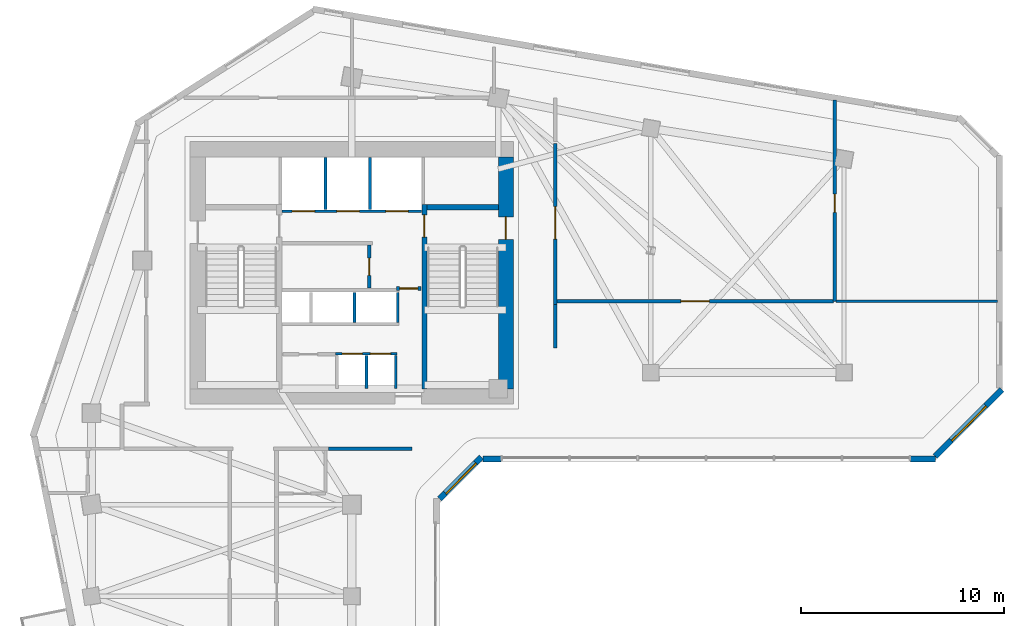
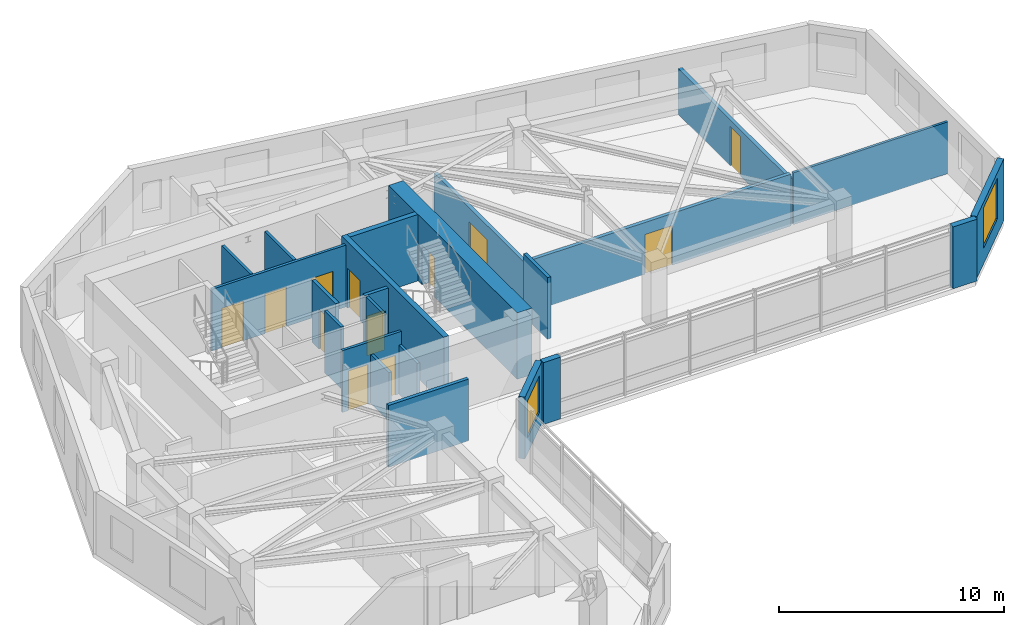
# One storey, part 6 of 10: 23 walls, 12 doors, 2 windows, 14 openings.
"""IFC4 building model written with IfcOpenShell, lengths in metres."""

from ifc_helpers import new_model, si_unit, direction, frame, frame_2d, origin, place, context, subcontext, project, spatial, rectangle, extrude, source, transform, mapped, material, layer, layer_set, type_object, element, fill, save


model = new_model("IFC4")

# Units and contexts
model_context = context("Model", 3, precision=1e-05, world=origin(), true_north=direction((0.0, 1.0)))
body_context = subcontext(model_context, "Body", "Model", "MODEL_VIEW")
ifc_project = project(units=[si_unit("LENGTHUNIT", "METRE"), si_unit("AREAUNIT", "SQUARE_METRE"), si_unit("VOLUMEUNIT", "CUBIC_METRE"), si_unit("PLANEANGLEUNIT", "RADIAN"), si_unit("MASSUNIT", "GRAM", prefix="KILO")], contexts=[model_context])

# Site, building, storey
site_placement = place(None, origin())
site = spatial("IfcSite", under=ifc_project, at=site_placement, CompositionType="ELEMENT")
building_placement = place(site_placement, origin())
building = spatial("IfcBuilding", under=site, at=building_placement, Name="Calvemar Wedge Station Tower", CompositionType="ELEMENT")
storey_placement = place(building_placement, frame((0.0, 0.0, 164.60009765625)))
storey = spatial("IfcBuildingStorey", under=building, at=storey_placement, Name="L41", CompositionType="ELEMENT", Elevation=164.60009765625)

# Wall, opening, door
ifc_material_1 = material(Name="Concrete C50", Category="concrete")
ifc_layer_1 = layer(ifc_material_1, 0.260009765625)
ifc_layer_set_1 = layer_set([ifc_layer_1], Name="Concrete C50")
wall_type_1 = type_object("IfcWallType", Name="SW-CORE-260", PredefinedType="SHEAR", material=ifc_layer_set_1)
wall_1_placement = place(storey_placement, frame((27.3701171875, 34.199951171875, 0.0), z_axis=(0.0, 0.0, 1.0), x_axis=(0.0, 1.0, 0.0)))
wall_1 = element("IfcWall", 1, at=wall_1_placement, inside=storey, type_object=wall_type_1, Name="Storey L41 Core Shear Wall SPINE-E", PredefinedType="SHEAR", context=body_context, shape_type="SweptSolid", body=[
    extrude(rectangle(XDim=9.06005859375, YDim=0.260009765625, at=frame_2d((4.530029296875, 0.0))), origin(), (0.0, 0.0, 1.0), 3.599853515625),
])
shared_shape_1 = source(origin(), body_context, "Body", "SweptSolid", [
    extrude(rectangle(XDim=1.10009765625, YDim=2.14990234375, at=frame_2d((0.550048828125, 1.074951171875))), frame((0.0, 0.14013671875, 0.0), z_axis=(0.0, -1.0, 0.0), x_axis=(1.0, 0.0, 0.0)), (0.0, 0.0, 1.0), 0.280029296875),
])
opening_1_placement = place(wall_1_placement, frame((7.449951171875, 0.0, 0.0)))
opening_1 = element("IfcOpeningElement", 2, at=opening_1_placement, cuts=wall_1, Name="Opening FD-90", PredefinedType="OPENING", context=body_context, shape_type="MappedRepresentation", body=[
    mapped(shared_shape_1, transform((0.0, 0.0, 0.0), scale=1.0)),
])
ifc_material_2 = material(Name="Galvanized fire-rated steel door leaf P-90", Category="steel")
door_type_1 = type_object("IfcDoorType", Name="DR-FD90-1100", OperationType="NOTDEFINED", PredefinedType="DOOR", material=ifc_material_2)
shared_shape_2 = source(origin(), body_context, "Body", "SweptSolid", [
    extrude(rectangle(XDim=1.10009765625, YDim=2.14990234375, at=frame_2d((0.550048828125, 1.074951171875))), frame((0.0, 0.02490234375, 0.0), z_axis=(0.0, -1.0, 0.0), x_axis=(1.0, 0.0, 0.0)), (0.0, 0.0, 1.0), 0.050048828125),
])
door_1_placement = place(opening_1_placement, origin())
door_1 = element("IfcDoor", 3, at=door_1_placement, inside=storey, type_object=door_type_1, Name="L41 FF Lobby to Stair ST-C2 Door", OperationType="SINGLE_SWING_RIGHT", OverallHeight=2.14990234375, OverallWidth=1.10009765625, PredefinedType="DOOR", context=body_context, shape_type="MappedRepresentation", body=[
    mapped(shared_shape_2, transform((0.0, 0.0, 0.0), scale=1.0)),
])
fill(opening_1, door_1)

# Wall
wall_2_placement = place(storey_placement, frame((27.5, 43.1298828125, 0.0), z_axis=(0.0, 0.0, 1.0), x_axis=(1.0, 0.0, 0.0)))
element("IfcWall", 4, at=wall_2_placement, inside=storey, type_object=wall_type_1, Name="Storey L41 Core Shear Wall STC2-N", PredefinedType="SHEAR", context=body_context, shape_type="SweptSolid", body=[
    extrude(rectangle(XDim=3.5, YDim=0.260009765625, at=frame_2d((1.75, 0.0))), origin(), (0.0, 0.0, 1.0), 3.599853515625),
])

# Wall, opening, door
ifc_material_3 = material(Name="Concrete C70", Category="concrete")
ifc_layer_2 = layer(ifc_material_3, 0.75)
ifc_layer_set_2 = layer_set([ifc_layer_2], Name="Concrete C70")
wall_type_2 = type_object("IfcWallType", Name="SW-CORE-750", PredefinedType="SHEAR", material=ifc_layer_set_2)
wall_3_placement = place(storey_placement, frame((31.375, 34.199951171875, 0.0), z_axis=(0.0, 0.0, 1.0), x_axis=(0.0, 1.0, 0.0)))
wall_3 = element("IfcWall", 5, at=wall_3_placement, inside=storey, type_object=wall_type_2, Name="Storey L41 Core Shear Wall E", PredefinedType="SHEAR", context=body_context, shape_type="SweptSolid", body=[
    extrude(rectangle(XDim=11.400146484375, YDim=0.75, at=frame_2d((5.7001953125, 0.0))), origin(), (0.0, 0.0, 1.0), 3.599853515625),
])
shared_shape_3 = source(origin(), body_context, "Body", "SweptSolid", [
    extrude(rectangle(XDim=1.10009765625, YDim=2.14990234375, at=frame_2d((0.550048828125, 1.074951171875))), frame((0.0, 0.385009765625, 0.0), z_axis=(0.0, -1.0, 0.0), x_axis=(1.0, 0.0, 0.0)), (0.0, 0.0, 1.0), 0.77001953125),
])
opening_2_placement = place(wall_3_placement, frame((7.35009765625, 0.0, 0.0)))
opening_2 = element("IfcOpeningElement", 6, at=opening_2_placement, cuts=wall_3, Name="Opening FD-90", PredefinedType="OPENING", context=body_context, shape_type="MappedRepresentation", body=[
    mapped(shared_shape_3, transform((0.0, 0.0, 0.0), scale=1.0)),
])
door_2_placement = place(opening_2_placement, origin())
door_2 = element("IfcDoor", 7, at=door_2_placement, inside=storey, type_object=door_type_1, Name="L41 East Corridor to Exit Stair ST-C2 Door", OperationType="SINGLE_SWING_RIGHT", OverallHeight=2.14990234375, OverallWidth=1.10009765625, PredefinedType="DOOR", context=body_context, shape_type="MappedRepresentation", body=[
    mapped(shared_shape_2, transform((0.0, 0.0, 0.0), scale=1.0)),
])
fill(opening_2, door_2)

ifc_material_4 = material(Name="Double-stud fire-rated corridor partition")
ifc_layer_3 = layer(ifc_material_4, 0.179931640625)
ifc_layer_set_3 = layer_set([ifc_layer_3], Name="Double-stud fire-rated corridor partition")
wall_type_3 = type_object("IfcWallType", Name="W-CORR-180", PredefinedType="PARTITIONING", material=ifc_layer_set_3)
wall_4_placement = place(storey_placement, frame((24.64990234375, 41.256103515625, 0.0), z_axis=(0.0, 0.0, 1.0), x_axis=(0.0, -1.0, 0.0)))
wall_4 = element("IfcWall", 8, at=wall_4_placement, inside=storey, type_object=wall_type_3, Name="Storey L41 Interior Partition WL-L41-002", PredefinedType="PARTITIONING", context=body_context, shape_type="SweptSolid", body=[
    extrude(rectangle(XDim=2.106201171875, YDim=0.179931640625, at=frame_2d((1.05322265625, 0.0))), origin(), (0.0, 0.0, 1.0), 3.349853515625),
])
shared_shape_4 = source(origin(), body_context, "Body", "SweptSolid", [
    extrude(rectangle(XDim=0.85009765625, YDim=2.14990234375, at=frame_2d((0.425048828125, 1.074951171875))), frame((0.0, 0.10009765625, 0.0), z_axis=(0.0, -1.0, 0.0), x_axis=(1.0, 0.0, 0.0)), (0.0, 0.0, 1.0), 0.199951171875),
])
opening_3_placement = place(wall_4_placement, frame((0.6279296875, 0.0, 0.0)))
opening_3 = element("IfcOpeningElement", 9, at=opening_3_placement, cuts=wall_4, Name="Opening FD-60S", PredefinedType="OPENING", context=body_context, shape_type="MappedRepresentation", body=[
    mapped(shared_shape_4, transform((0.0, 0.0, 0.0), scale=1.0)),
])
ifc_material_5 = material(Name="Fire-rated steel and hardwood service door EI 60", Category="steel")
door_type_2 = type_object("IfcDoorType", Name="DR-CORE-FD60-850", OperationType="NOTDEFINED", PredefinedType="DOOR", material=ifc_material_5)
shared_shape_5 = source(origin(), body_context, "Body", "SweptSolid", [
    extrude(rectangle(XDim=0.85009765625, YDim=2.14990234375, at=frame_2d((0.425048828125, 1.074951171875))), frame((0.0, 0.02490234375, 0.0), z_axis=(0.0, -1.0, 0.0), x_axis=(1.0, 0.0, 0.0)), (0.0, 0.0, 1.0), 0.050048828125),
])
door_3_placement = place(opening_3_placement, origin())
door_3 = element("IfcDoor", 10, at=door_3_placement, inside=storey, type_object=door_type_2, Name="L41 Cleaner and Linen Store Door", OperationType="SINGLE_SWING_LEFT", OverallHeight=2.14990234375, OverallWidth=0.85009765625, PredefinedType="DOOR", context=body_context, shape_type="MappedRepresentation", body=[
    mapped(shared_shape_5, transform((0.0, 0.0, 0.0), scale=1.0)),
])
fill(opening_3, door_3)

wall_5_placement = place(storey_placement, frame((27.199951171875, 39.1298828125, 0.0), z_axis=(0.0, 0.0, 1.0), x_axis=(-1.0, 0.0, 0.0)))
wall_5 = element("IfcWall", 11, at=wall_5_placement, inside=storey, type_object=wall_type_3, Name="Storey L41 Interior Partition WL-L41-003", PredefinedType="PARTITIONING", context=body_context, shape_type="SweptSolid", body=[
    extrude(rectangle(XDim=1.2099609375, YDim=0.179931640625, at=frame_2d((0.60498046875, 0.0))), origin(), (0.0, 0.0, 1.0), 3.349853515625),
])
shared_shape_6 = source(origin(), body_context, "Body", "SweptSolid", [
    extrude(rectangle(XDim=0.89990234375, YDim=2.14990234375, at=frame_2d((0.449951171875, 1.074951171875))), frame((0.0, 0.10009765625, 0.0), z_axis=(0.0, -1.0, 0.0), x_axis=(1.0, 0.0, 0.0)), (0.0, 0.0, 1.0), 0.199951171875),
])
opening_4_placement = place(wall_5_placement, frame((0.155029296875, 0.0, 0.0)))
opening_4 = element("IfcOpeningElement", 12, at=opening_4_placement, cuts=wall_5, Name="Opening FD-60", PredefinedType="OPENING", context=body_context, shape_type="MappedRepresentation", body=[
    mapped(shared_shape_6, transform((0.0, 0.0, 0.0), scale=1.0)),
])
ifc_material_6 = material(Name="Fire-rated acoustic timber-core entrance door EI 60", Category="wood")
door_type_3 = type_object("IfcDoorType", Name="DR-FD60-900", OperationType="NOTDEFINED", PredefinedType="DOOR", material=ifc_material_6)
shared_shape_7 = source(origin(), body_context, "Body", "SweptSolid", [
    extrude(rectangle(XDim=0.89990234375, YDim=2.14990234375, at=frame_2d((0.449951171875, 1.074951171875))), frame((0.0, 0.02490234375, 0.0), z_axis=(0.0, -1.0, 0.0), x_axis=(1.0, 0.0, 0.0)), (0.0, 0.0, 1.0), 0.050048828125),
])
door_4_placement = place(opening_4_placement, origin())
door_4 = element("IfcDoor", 13, at=door_4_placement, inside=storey, type_object=door_type_3, Name="L41 Core Service Lobby Door", OperationType="SINGLE_SWING_RIGHT", OverallHeight=2.14990234375, OverallWidth=0.89990234375, PredefinedType="DOOR", context=body_context, shape_type="MappedRepresentation", body=[
    mapped(shared_shape_7, transform((0.0, 0.0, 0.0), scale=1.0)),
])
fill(opening_4, door_4)

# Wall
wall_6_placement = place(storey_placement, frame((26.760009765625, 31.25, 0.0), z_axis=(0.0, 0.0, 1.0), x_axis=(-1.0, 0.0, 0.0)))
element("IfcWall", 14, at=wall_6_placement, inside=storey, type_object=wall_type_3, Name="Storey L41 Interior Partition WL-L41-009", PredefinedType="PARTITIONING", context=body_context, shape_type="SweptSolid", body=[
    extrude(rectangle(XDim=4.097900390625, YDim=0.179931640625, at=frame_2d((2.048828125, 0.0))), origin(), (0.0, 0.0, 1.0), 3.349853515625),
])

# Wall, opening, door
wall_7_placement = place(storey_placement, frame((33.800048828125, 46.256103515625, 0.0), z_axis=(0.0, 0.0, 1.0), x_axis=(0.0, -1.0, 0.0)))
wall_7 = element("IfcWall", 15, at=wall_7_placement, inside=storey, type_object=wall_type_3, Name="Storey L41 Interior Partition WL-L41-015", PredefinedType="PARTITIONING", context=body_context, shape_type="SweptSolid", body=[
    extrude(rectangle(XDim=7.916015625, YDim=0.179931640625, at=frame_2d((3.9580078125, 0.0))), origin(), (0.0, 0.0, 1.0), 2.921875),
])
shared_shape_8 = source(origin(), body_context, "Body", "SweptSolid", [
    extrude(rectangle(XDim=1.60009765625, YDim=2.14990234375, at=frame_2d((0.800048828125, 1.074951171875))), frame((0.0, 0.10009765625, 0.0), z_axis=(0.0, -1.0, 0.0), x_axis=(1.0, 0.0, 0.0)), (0.0, 0.0, 1.0), 0.199951171875),
])
opening_5_placement = place(wall_7_placement, frame((3.0966796875, 0.0, 0.0)))
opening_5 = element("IfcOpeningElement", 16, at=opening_5_placement, cuts=wall_7, Name="Opening DD-160", PredefinedType="OPENING", context=body_context, shape_type="MappedRepresentation", body=[
    mapped(shared_shape_8, transform((0.0, 0.0, 0.0), scale=1.0)),
])
ifc_material_7 = material(Name="Double-leaf fire-rated lobby door EI 60")
door_type_4 = type_object("IfcDoorType", Name="DR-DBL-1600", OperationType="DOUBLE_DOOR_SINGLE_SWING", PredefinedType="DOOR", material=ifc_material_7)
shared_shape_9 = source(origin(), body_context, "Body", "SweptSolid", [
    extrude(rectangle(XDim=1.60009765625, YDim=2.14990234375, at=frame_2d((0.800048828125, 1.074951171875))), frame((0.0, 0.02490234375, 0.0), z_axis=(0.0, -1.0, 0.0), x_axis=(1.0, 0.0, 0.0)), (0.0, 0.0, 1.0), 0.050048828125),
])
door_5_placement = place(opening_5_placement, origin())
door_5 = element("IfcDoor", 17, at=door_5_placement, inside=storey, type_object=door_type_4, Name="L41 Presidential Sky Ballroom Door", OperationType="SINGLE_SWING_LEFT", OverallHeight=2.14990234375, OverallWidth=1.60009765625, PredefinedType="DOOR", context=body_context, shape_type="MappedRepresentation", body=[
    mapped(shared_shape_9, transform((0.0, 0.0, 0.0), scale=1.0)),
])
fill(opening_5, door_5)

# Wall
wall_8_placement = place(storey_placement, frame((33.800048828125, 38.337890625, 0.0), z_axis=(0.0, 0.0, 1.0), x_axis=(0.0, -1.0, 0.0)))
element("IfcWall", 18, at=wall_8_placement, inside=storey, type_object=wall_type_3, Name="Storey L41 Interior Partition WL-L41-016", PredefinedType="PARTITIONING", context=body_context, shape_type="SweptSolid", body=[
    extrude(rectangle(XDim=2.137939453125, YDim=0.179931640625, at=frame_2d((1.06884765625, 0.0))), origin(), (0.0, 0.0, 1.0), 3.349853515625),
])

# Wall, opening, door
wall_9_placement = place(storey_placement, frame((47.534912109375, 48.388671875, 0.0), z_axis=(0.0, 0.0, 1.0), x_axis=(0.0, -1.0, 0.0)))
wall_9 = element("IfcWall", 19, at=wall_9_placement, inside=storey, type_object=wall_type_3, Name="Storey L41 Interior Partition WL-L41-020", PredefinedType="PARTITIONING", context=body_context, shape_type="SweptSolid", body=[
    extrude(rectangle(XDim=9.888671875, YDim=0.179931640625, at=frame_2d((4.9443359375, 0.0))), origin(), (0.0, 0.0, 1.0), 2.491943359375),
])
opening_6_placement = place(wall_9_placement, frame((4.61474609375, 0.0, 0.0)))
opening_6 = element("IfcOpeningElement", 20, at=opening_6_placement, cuts=wall_9, Name="Opening FD-60", PredefinedType="OPENING", context=body_context, shape_type="MappedRepresentation", body=[
    mapped(shared_shape_6, transform((0.0, 0.0, 0.0), scale=1.0)),
])
door_6_placement = place(opening_6_placement, origin())
door_6 = element("IfcDoor", 21, at=door_6_placement, inside=storey, type_object=door_type_3, Name="L41 Hotel Banquet Kitchen Door", OperationType="SINGLE_SWING_RIGHT", OverallHeight=2.14990234375, OverallWidth=0.89990234375, PredefinedType="DOOR", context=body_context, shape_type="MappedRepresentation", body=[
    mapped(shared_shape_7, transform((0.0, 0.0, 0.0), scale=1.0)),
])
fill(opening_6, door_6)

wall_10_placement = place(storey_placement, frame((47.468505859375, 38.5, 0.0), z_axis=(0.0, 0.0, 1.0), x_axis=(-1.0, 0.0, 0.0)))
wall_10 = element("IfcWall", 22, at=wall_10_placement, inside=storey, type_object=wall_type_3, Name="Storey L41 Interior Partition WL-L41-021", PredefinedType="PARTITIONING", context=body_context, shape_type="SweptSolid", body=[
    extrude(rectangle(XDim=13.574462890625, YDim=0.179931640625, at=frame_2d((6.787109375, 0.0))), origin(), (0.0, 0.0, 1.0), 2.802978515625),
])
shared_shape_10 = source(origin(), body_context, "Body", "SweptSolid", [
    extrude(rectangle(XDim=1.39990234375, YDim=2.14990234375, at=frame_2d((0.699951171875, 1.074951171875))), frame((0.0, 0.10009765625, 0.0), z_axis=(0.0, -1.0, 0.0), x_axis=(1.0, 0.0, 0.0)), (0.0, 0.0, 1.0), 0.199951171875),
])
opening_7_placement = place(wall_10_placement, frame((6.08740234375, 0.0, 0.0)))
opening_7 = element("IfcOpeningElement", 23, at=opening_7_placement, cuts=wall_10, Name="Opening DD-140", PredefinedType="OPENING", context=body_context, shape_type="MappedRepresentation", body=[
    mapped(shared_shape_10, transform((0.0, 0.0, 0.0), scale=1.0)),
])
ifc_material_8 = material(Name="Double-leaf corridor acoustic fire door EI 60")
door_type_5 = type_object("IfcDoorType", Name="DR-DBL-1400", OperationType="DOUBLE_DOOR_SINGLE_SWING", PredefinedType="DOOR", material=ifc_material_8)
shared_shape_11 = source(origin(), body_context, "Body", "SweptSolid", [
    extrude(rectangle(XDim=1.39990234375, YDim=2.14990234375, at=frame_2d((0.699951171875, 1.074951171875))), frame((0.0, 0.02490234375, 0.0), z_axis=(0.0, -1.0, 0.0), x_axis=(1.0, 0.0, 0.0)), (0.0, 0.0, 1.0), 0.050048828125),
])
door_7_placement = place(opening_7_placement, origin())
door_7 = element("IfcDoor", 24, at=door_7_placement, inside=storey, type_object=door_type_5, Name="L41 Presidential Cocktail Lounge Door", OperationType="SINGLE_SWING_LEFT", OverallHeight=2.14990234375, OverallWidth=1.39990234375, PredefinedType="DOOR", context=body_context, shape_type="MappedRepresentation", body=[
    mapped(shared_shape_11, transform((0.0, 0.0, 0.0), scale=1.0)),
])
fill(opening_7, door_7)

# Wall, opening, window
ifc_material_9 = material(Name="Precast concrete C45", Category="concrete")
ifc_layer_4 = layer(ifc_material_9, 0.300048828125)
ifc_layer_set_4 = layer_set([ifc_layer_4], Name="Precast concrete C45")
wall_type_4 = type_object("IfcWallType", Name="W-EXT-GFRC-300", PredefinedType="SOLIDWALL", material=ifc_layer_set_4)
wall_11_placement = place(storey_placement, frame((28.115966796875, 28.7919921875, 0.0), z_axis=(0.0, 0.0, 1.0), x_axis=(0.707064797706, 0.707148762175, 0.0)))
wall_11 = element("IfcWall", 25, at=wall_11_placement, inside=storey, type_object=wall_type_4, Name="Storey L41 Bronze GFRC Exterior Wall 5", PredefinedType="SOLIDWALL", context=body_context, shape_type="SweptSolid", body=[
    extrude(rectangle(XDim=2.90771484375, YDim=0.300048828125, at=frame_2d((1.453857421875, 0.0))), origin(), (0.0, 0.0, 1.0), 3.349853515625),
])
shared_shape_12 = source(origin(), body_context, "Body", "SweptSolid", [
    extrude(rectangle(XDim=2.10009765625, YDim=2.0, at=frame_2d((1.050048828125, 1.0))), frame((0.0, 0.16015625, 0.0), z_axis=(0.0, -1.0, 0.0), x_axis=(1.0, 0.0, 0.0)), (0.0, 0.0, 1.0), 0.320068359375),
])
opening_8_placement = place(wall_11_placement, frame((0.404052734375, 0.0, 0.85009765625)))
opening_8 = element("IfcOpeningElement", 26, at=opening_8_placement, cuts=wall_11, Name="Opening W4", PredefinedType="OPENING", context=body_context, shape_type="MappedRepresentation", body=[
    mapped(shared_shape_12, transform((0.0, 0.0, 0.0), scale=1.0)),
])
ifc_material_10 = material(Name="Low-E laminated insulated glass", Category="glass")
window_type_1 = type_object("IfcWindowType", Name="WIN-EXT-4", PartitioningType="SINGLE_PANEL", PredefinedType="WINDOW", material=ifc_material_10)
shared_shape_13 = source(origin(), body_context, "Body", "SweptSolid", [
    extrude(rectangle(XDim=2.10009765625, YDim=2.0, at=frame_2d((1.050048828125, 1.0))), frame((0.0, -0.014892578125, 0.0), z_axis=(0.0, -1.0, 0.0), x_axis=(1.0, 0.0, 0.0)), (0.0, 0.0, 1.0), 0.06005859375),
])
window_1_placement = place(opening_8_placement, origin())
window_1 = element("IfcWindow", 27, at=window_1_placement, inside=storey, type_object=window_type_1, Name="Storey L41 Recessed Window 5.1", OverallHeight=2.0, OverallWidth=2.10009765625, PartitioningType="SINGLE_PANEL", PredefinedType="WINDOW", context=body_context, shape_type="MappedRepresentation", body=[
    mapped(shared_shape_13, transform((0.0, 0.0, 0.0), scale=1.0)),
])
fill(opening_8, window_1)

# Walls
wall_12_placement = place(storey_placement, frame((30.260986328125, 30.741943359375, 0.0), z_axis=(0.0, 0.0, 1.0), x_axis=(1.0, 0.0, 0.0)))
element("IfcWall", 28, at=wall_12_placement, inside=storey, type_object=wall_type_4, Name="Storey L41 Bronze GFRC Corner Pier 6A", PredefinedType="SOLIDWALL", context=body_context, shape_type="SweptSolid", body=[
    extrude(rectangle(XDim=0.88232421875, YDim=0.300048828125, at=frame_2d((0.441162109375, 0.0))), origin(), (0.0, 0.0, 1.0), 3.349853515625),
])
wall_13_placement = place(storey_placement, frame((51.260498046875, 30.741943359375, 0.0), z_axis=(0.0, 0.0, 1.0), x_axis=(1.0, 0.0, 0.0)))
element("IfcWall", 29, at=wall_13_placement, inside=storey, type_object=wall_type_4, Name="Storey L41 Bronze GFRC Corner Pier 6B", PredefinedType="SOLIDWALL", context=body_context, shape_type="SweptSolid", body=[
    extrude(rectangle(XDim=1.227294921875, YDim=0.300048828125, at=frame_2d((0.61376953125, 0.0))), origin(), (0.0, 0.0, 1.0), 3.349853515625),
])

# Wall, opening, window
wall_14_placement = place(storey_placement, frame((52.475830078125, 30.8798828125, 0.0), z_axis=(0.0, 0.0, 1.0), x_axis=(0.707106781187, 0.707106781187, 0.0)))
wall_14 = element("IfcWall", 30, at=wall_14_placement, inside=storey, type_object=wall_type_4, Name="Storey L41 Bronze GFRC Exterior Wall 7", PredefinedType="SOLIDWALL", context=body_context, shape_type="SweptSolid", body=[
    extrude(rectangle(XDim=4.638916015625, YDim=0.300048828125, at=frame_2d((2.3193359375, 0.0))), origin(), (0.0, 0.0, 1.0), 3.349853515625),
])
shared_shape_14 = source(origin(), body_context, "Body", "SweptSolid", [
    extrude(rectangle(XDim=2.39990234375, YDim=2.199951171875, at=frame_2d((1.199951171875, 1.10009765625))), frame((0.0, 0.16015625, 0.0), z_axis=(0.0, -1.0, 0.0), x_axis=(1.0, 0.0, 0.0)), (0.0, 0.0, 1.0), 0.320068359375),
])
opening_9_placement = place(wall_14_placement, frame((1.118896484375, 0.0, 0.85009765625)))
opening_9 = element("IfcOpeningElement", 31, at=opening_9_placement, cuts=wall_14, Name="Opening W1", PredefinedType="OPENING", context=body_context, shape_type="MappedRepresentation", body=[
    mapped(shared_shape_14, transform((0.0, 0.0, 0.0), scale=1.0)),
])
window_type_2 = type_object("IfcWindowType", Name="WIN-EXT-1", PartitioningType="SINGLE_PANEL", PredefinedType="WINDOW", material=ifc_material_10)
shared_shape_15 = source(origin(), body_context, "Body", "SweptSolid", [
    extrude(rectangle(XDim=2.39990234375, YDim=2.199951171875, at=frame_2d((1.199951171875, 1.10009765625))), frame((0.0, -0.014892578125, 0.0), z_axis=(0.0, -1.0, 0.0), x_axis=(1.0, 0.0, 0.0)), (0.0, 0.0, 1.0), 0.06005859375),
])
window_2_placement = place(opening_9_placement, origin())
window_2 = element("IfcWindow", 32, at=window_2_placement, inside=storey, type_object=window_type_2, Name="Storey L41 Recessed Window 7.1", OverallHeight=2.199951171875, OverallWidth=2.39990234375, PartitioningType="SINGLE_PANEL", PredefinedType="WINDOW", context=body_context, shape_type="MappedRepresentation", body=[
    mapped(shared_shape_15, transform((0.0, 0.0, 0.0), scale=1.0)),
])
fill(opening_9, window_2)

# Wall, openings, doors
ifc_material_11 = material(Name="Reinforced concrete blockwork lift shaft wall", Category="masonry")
ifc_layer_5 = layer(ifc_material_11, 0.139892578125)
ifc_layer_set_5 = layer_set([ifc_layer_5], Name="Reinforced concrete blockwork lift shaft wall")
wall_type_5 = type_object("IfcWallType", Name="W-LIFT-160", PredefinedType="SOLIDWALL", material=ifc_layer_set_5)
wall_15_placement = place(storey_placement, frame((20.3701171875, 42.929931640625, 0.0), z_axis=(0.0, 0.0, 1.0), x_axis=(1.0, 0.0, 0.0)))
wall_15 = element("IfcWall", 33, at=wall_15_placement, inside=storey, type_object=wall_type_5, Name="Storey L41 Firefighting and Service Lift Shaft Front Wall", PredefinedType="SOLIDWALL", context=body_context, shape_type="SweptSolid", body=[
    extrude(rectangle(XDim=6.85986328125, YDim=0.139892578125, at=frame_2d((3.429931640625, 0.0))), origin(), (0.0, 0.0, 1.0), 3.349853515625),
])
shared_shape_16 = source(origin(), body_context, "Body", "SweptSolid", [
    extrude(rectangle(XDim=1.10009765625, YDim=2.14990234375, at=frame_2d((0.550048828125, 1.074951171875))), frame((0.0, 0.080078125, 0.0), z_axis=(0.0, -1.0, 0.0), x_axis=(1.0, 0.0, 0.0)), (0.0, 0.0, 1.0), 0.159912109375),
])
opening_10_placement = place(wall_15_placement, frame((0.5, 0.0, 0.0)))
opening_10 = element("IfcOpeningElement", 34, at=opening_10_placement, cuts=wall_15, Name="Opening LD-FF", PredefinedType="OPENING", context=body_context, shape_type="MappedRepresentation", body=[
    mapped(shared_shape_16, transform((0.0, 0.0, 0.0), scale=1.0)),
])
opening_11_placement = place(wall_15_placement, frame((2.699951171875, 0.0, 0.0)))
opening_11 = element("IfcOpeningElement", 35, at=opening_11_placement, cuts=wall_15, Name="Opening LD-FF", PredefinedType="OPENING", context=body_context, shape_type="MappedRepresentation", body=[
    mapped(shared_shape_16, transform((0.0, 0.0, 0.0), scale=1.0)),
])
opening_12_placement = place(wall_15_placement, frame((5.10009765625, 0.0, 0.0)))
opening_12 = element("IfcOpeningElement", 36, at=opening_12_placement, cuts=wall_15, Name="Opening LD-STN", PredefinedType="OPENING", context=body_context, shape_type="MappedRepresentation", body=[
    mapped(shared_shape_16, transform((0.0, 0.0, 0.0), scale=1.0)),
])
ifc_material_12 = material(Name="Stainless steel firefighting lift sliding landing door", Category="steel")
door_type_6 = type_object("IfcDoorType", Name="DR-LD-FF-1100", OperationType="SLIDING_TO_LEFT", PredefinedType="DOOR", material=ifc_material_12)
shared_shape_17 = source(origin(), body_context, "Body", "SweptSolid", [
    extrude(rectangle(XDim=1.10009765625, YDim=2.14990234375, at=frame_2d((0.550048828125, 1.074951171875))), frame((0.0, 0.02490234375, 0.0), z_axis=(0.0, -1.0, 0.0), x_axis=(1.0, 0.0, 0.0)), (0.0, 0.0, 1.0), 0.050048828125),
])
door_8_placement = place(opening_10_placement, origin())
door_8 = element("IfcDoor", 37, at=door_8_placement, inside=storey, type_object=door_type_6, Name="L41 Lift FF-01 Sliding Landing Door", OperationType="SLIDING_TO_LEFT", OverallHeight=2.14990234375, OverallWidth=1.10009765625, PredefinedType="DOOR", context=body_context, shape_type="MappedRepresentation", body=[
    mapped(shared_shape_17, transform((0.0, 0.0, 0.0), scale=1.0)),
])
fill(opening_10, door_8)
door_9_placement = place(opening_11_placement, origin())
door_9 = element("IfcDoor", 38, at=door_9_placement, inside=storey, type_object=door_type_6, Name="L41 Lift FF-02 Sliding Landing Door", OperationType="SLIDING_TO_RIGHT", OverallHeight=2.14990234375, OverallWidth=1.10009765625, PredefinedType="DOOR", context=body_context, shape_type="MappedRepresentation", body=[
    mapped(shared_shape_17, transform((0.0, 0.0, 0.0), scale=1.0)),
])
fill(opening_11, door_9)
ifc_material_13 = material(Name="Stainless steel transit lift sliding landing door", Category="steel")
door_type_7 = type_object("IfcDoorType", Name="DR-LD-PAX-1100", OperationType="SLIDING_TO_LEFT", PredefinedType="DOOR", material=ifc_material_13)
shared_shape_18 = source(origin(), body_context, "Body", "SweptSolid", [
    extrude(rectangle(XDim=1.10009765625, YDim=2.14990234375, at=frame_2d((0.550048828125, 1.074951171875))), frame((0.0, 0.02490234375, 0.0), z_axis=(0.0, -1.0, 0.0), x_axis=(1.0, 0.0, 0.0)), (0.0, 0.0, 1.0), 0.050048828125),
])
door_10_placement = place(opening_12_placement, origin())
door_10 = element("IfcDoor", 39, at=door_10_placement, inside=storey, type_object=door_type_7, Name="L41 Lift SV-01 Sliding Landing Door", OperationType="SLIDING_TO_LEFT", OverallHeight=2.14990234375, OverallWidth=1.10009765625, PredefinedType="DOOR", context=body_context, shape_type="MappedRepresentation", body=[
    mapped(shared_shape_18, transform((0.0, 0.0, 0.0), scale=1.0)),
])
fill(opening_12, door_10)

# Walls
for number, where, z_axis, x_axis, name in (
    (40, (22.5, 43.02001953125, 0.0), (0.0, 0.0, 1.0), (0.0, 1.0, 0.0), "Storey L41 Firefighting Lift Shaft Enclosure Wall D1"),
    (41, (24.699951171875, 43.02001953125, 0.0), (0.0, 0.0, 1.0), (0.0, 1.0, 0.0), "Storey L41 Firefighting Lift Shaft Enclosure Wall D2"),
):
    element("IfcWall", number, at=place(storey_placement, frame(where, z_axis=z_axis, x_axis=x_axis)), inside=storey, type_object=wall_type_5, Name=name, PredefinedType="SOLIDWALL", context=body_context, shape_type="SweptSolid", body=[
        extrude(rectangle(XDim=2.56005859375, YDim=0.139892578125, at=frame_2d((1.280029296875, 0.0))), origin(), (0.0, 0.0, 1.0), 3.349853515625),
    ])

# Wall, openings, doors
wall_16_placement = place(storey_placement, frame((23.0, 35.919921875, 0.0), z_axis=(0.0, 0.0, 1.0), x_axis=(1.0, 0.0, 0.0)))
wall_16 = element("IfcWall", 42, at=wall_16_placement, inside=storey, type_object=wall_type_5, Name="Storey L41 South Passenger Lift Bank Front Wall", PredefinedType="SOLIDWALL", context=body_context, shape_type="SweptSolid", body=[
    extrude(rectangle(XDim=3.030029296875, YDim=0.139892578125, at=frame_2d((1.51513671875, 0.0))), origin(), (0.0, 0.0, 1.0), 3.349853515625),
])
shared_shape_19 = source(origin(), body_context, "Body", "SweptSolid", [
    extrude(rectangle(XDim=1.0, YDim=2.14990234375, at=frame_2d((0.5, 1.074951171875))), frame((0.0, 0.080078125, 0.0), z_axis=(0.0, -1.0, 0.0), x_axis=(1.0, 0.0, 0.0)), (0.0, 0.0, 1.0), 0.159912109375),
])
opening_13_placement = place(wall_16_placement, frame((0.320068359375, 0.0, 0.0)))
opening_13 = element("IfcOpeningElement", 43, at=opening_13_placement, cuts=wall_16, Name="Opening LD-PAX", PredefinedType="OPENING", context=body_context, shape_type="MappedRepresentation", body=[
    mapped(shared_shape_19, transform((0.0, 0.0, 0.0), scale=1.0)),
])
opening_14_placement = place(wall_16_placement, frame((1.7099609375, 0.0, 0.0)))
opening_14 = element("IfcOpeningElement", 44, at=opening_14_placement, cuts=wall_16, Name="Opening LD-PAX", PredefinedType="OPENING", context=body_context, shape_type="MappedRepresentation", body=[
    mapped(shared_shape_19, transform((0.0, 0.0, 0.0), scale=1.0)),
])
ifc_material_14 = material(Name="Anodised bronze passenger lift sliding landing door")
door_type_8 = type_object("IfcDoorType", Name="DR-LD-PAX-1000", OperationType="SLIDING_TO_LEFT", PredefinedType="DOOR", material=ifc_material_14)
shared_shape_20 = source(origin(), body_context, "Body", "SweptSolid", [
    extrude(rectangle(XDim=1.0, YDim=2.14990234375, at=frame_2d((0.5, 1.074951171875))), frame((0.0, 0.02490234375, 0.0), z_axis=(0.0, -1.0, 0.0), x_axis=(1.0, 0.0, 0.0)), (0.0, 0.0, 1.0), 0.050048828125),
])
door_11_placement = place(opening_13_placement, origin())
door_11 = element("IfcDoor", 45, at=door_11_placement, inside=storey, type_object=door_type_8, Name="L41 Lift HL-01 Sliding Landing Door", OperationType="SLIDING_TO_LEFT", OverallHeight=2.14990234375, OverallWidth=1.0, PredefinedType="DOOR", context=body_context, shape_type="MappedRepresentation", body=[
    mapped(shared_shape_20, transform((0.0, 0.0, 0.0), scale=1.0)),
])
fill(opening_13, door_11)
door_12_placement = place(opening_14_placement, origin())
door_12 = element("IfcDoor", 46, at=door_12_placement, inside=storey, type_object=door_type_8, Name="L41 Lift HL-02 Sliding Landing Door", OperationType="SLIDING_TO_RIGHT", OverallHeight=2.14990234375, OverallWidth=1.0, PredefinedType="DOOR", context=body_context, shape_type="MappedRepresentation", body=[
    mapped(shared_shape_20, transform((0.0, 0.0, 0.0), scale=1.0)),
])
fill(opening_14, door_12)

# Walls
for number, where, z_axis, x_axis, name in (
    (47, (25.9599609375, 34.219970703125, 0.0), (0.0, 0.0, 1.0), (0.0, 1.0, 0.0), "Storey L41 South Passenger Lift Shaft Wall E"),
    (48, (24.514892578125, 34.219970703125, 0.0), (0.0, 0.0, 1.0), (0.0, 1.0, 0.0), "Storey L41 South Passenger Lift Shaft Wall D1"),
):
    element("IfcWall", number, at=place(storey_placement, frame(where, z_axis=z_axis, x_axis=x_axis)), inside=storey, type_object=wall_type_5, Name=name, PredefinedType="SOLIDWALL", context=body_context, shape_type="SweptSolid", body=[
        extrude(rectangle(XDim=1.6201171875, YDim=0.139892578125, at=frame_2d((0.81005859375, 0.0))), origin(), (0.0, 0.0, 1.0), 2.641845703125),
    ])
for number, where, z_axis, x_axis, name in (
    (49, (26.06005859375, 37.4599609375, 0.0), (0.0, 0.0, 1.0), (0.0, 1.0, 0.0), "Storey L41 Upper Passenger Lift Shaft Wall E"),
    (50, (23.93505859375, 37.4599609375, 0.0), (0.0, 0.0, 1.0), (0.0, 1.0, 0.0), "Storey L41 Upper Passenger Lift Shaft Wall D2"),
):
    element("IfcWall", number, at=place(storey_placement, frame(where, z_axis=z_axis, x_axis=x_axis)), inside=storey, type_object=wall_type_5, Name=name, PredefinedType="SOLIDWALL", context=body_context, shape_type="SweptSolid", body=[
        extrude(rectangle(XDim=1.47998046875, YDim=0.139892578125, at=frame_2d((0.739990234375, 0.0))), origin(), (0.0, 0.0, 1.0), 3.349853515625),
    ])
ifc_material_15 = material(Name="Insulated acoustic gypsum stud partition")
ifc_layer_6 = layer(ifc_material_15, 0.125)
ifc_layer_set_6 = layer_set([ifc_layer_6], Name="Insulated acoustic gypsum stud partition")
wall_type_6 = type_object("IfcWallType", Name="W-PART-125", PredefinedType="PARTITIONING", material=ifc_layer_set_6)
wall_17_placement = place(storey_placement, frame((55.534912109375, 38.5, 0.0), z_axis=(0.0, 0.0, 1.0), x_axis=(-1.0, 0.0, 0.0)))
element("IfcWall", 51, at=wall_17_placement, inside=storey, type_object=wall_type_6, Name="Storey L41 Interior Partition WL-L41-022", PredefinedType="PARTITIONING", context=body_context, shape_type="SweptSolid", body=[
    extrude(rectangle(XDim=7.933349609375, YDim=0.125, at=frame_2d((3.966796875, 0.0))), origin(), (0.0, 0.0, 1.0), 2.802978515625),
])

save(model, "model.ifc")
